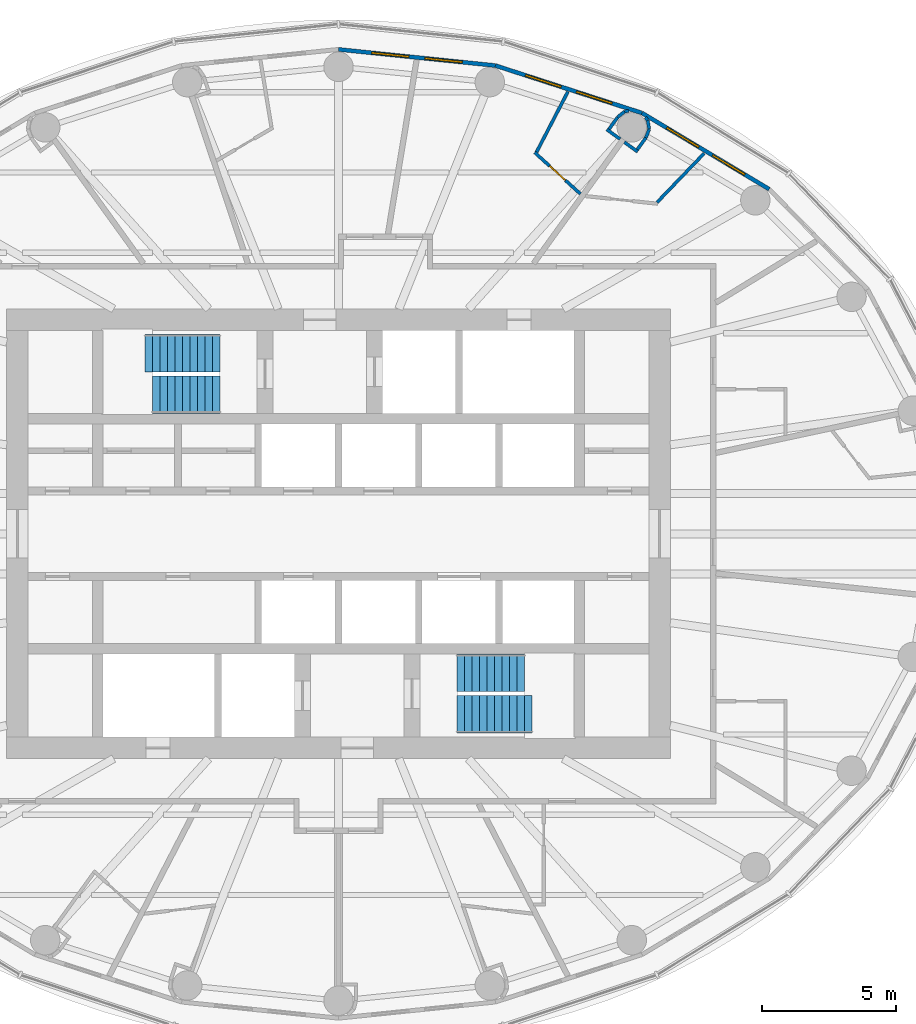
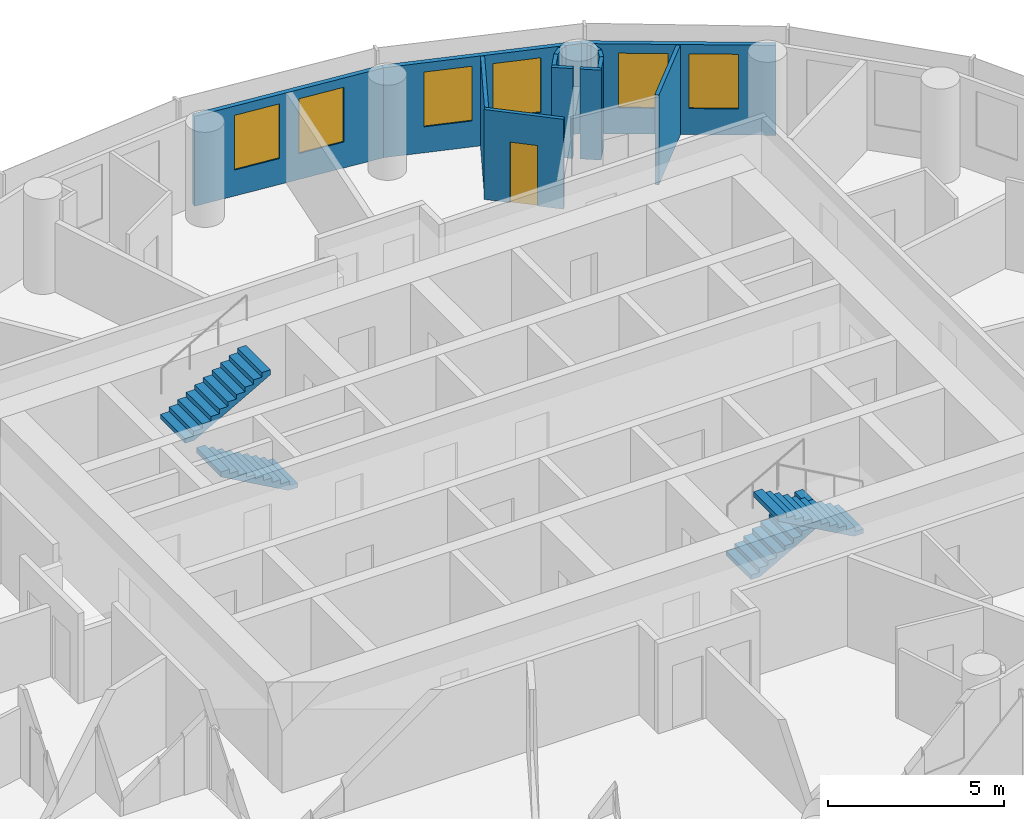
# One storey, part 12 of 13: 15 walls, 6 windows, 4 stair flights, 1 door, 7 openings, 2 elements without a shape of their own.
"""IFC4 building model written with IfcOpenShell, lengths in metres."""

from ifc_helpers import new_model, si_unit, direction, frame, frame_2d, origin, place, context, subcontext, project, spatial, polyline, rectangle, outline, extrude, material, layer, layer_set, type_object, element, fill, aggregate, save


model = new_model("IFC4")

# Units and contexts
model_context = context("Model", 3, precision=1e-05, world=origin(), true_north=direction((0.0, 1.0)))
body_context = subcontext(model_context, "Body", "Model", "MODEL_VIEW")
ifc_project = project(units=[si_unit("LENGTHUNIT", "METRE"), si_unit("AREAUNIT", "SQUARE_METRE"), si_unit("VOLUMEUNIT", "CUBIC_METRE"), si_unit("PLANEANGLEUNIT", "RADIAN"), si_unit("MASSUNIT", "GRAM", prefix="KILO")], contexts=[model_context])

# Site, building, storey
site_placement = place(None, origin())
site = spatial("IfcSite", under=ifc_project, at=site_placement, CompositionType="ELEMENT")
building_placement = place(site_placement, origin())
building = spatial("IfcBuilding", under=site, at=building_placement, Name="Hankou Lantern Tower", CompositionType="ELEMENT")
storey_placement = place(building_placement, frame((0.0, 0.0, 163.199951171875)))
storey = spatial("IfcBuildingStorey", under=building, at=storey_placement, Name="L43", CompositionType="ELEMENT", Elevation=163.199951171875)

# Wall, openings, windows
ifc_material_1 = material(Name="Aluminium spandrel panel on steel studs", Category="steel")
ifc_layer_1 = layer(ifc_material_1, 0.14990234375)
ifc_layer_set_1 = layer_set([ifc_layer_1], Name="Aluminium spandrel panel on steel studs")
wall_type_1 = type_object("IfcWallType", Name="EW1 INNER SKIN WALL 150", PredefinedType="ELEMENTEDWALL", material=ifc_layer_set_1)
wall_1_placement = place(storey_placement, frame((16.0947265625, 12.875732421875, 0.0), z_axis=(0.0, 0.0, 1.0), x_axis=(-0.857695199231, 0.514158482587, 0.0)))
wall_1 = element("IfcWall", 1, at=wall_1_placement, inside=storey, type_object=wall_type_1, Name="Inner skin R04-R05 L43", PredefinedType="ELEMENTEDWALL", context=body_context, shape_type="SweptSolid", body=[
    extrude(rectangle(XDim=5.5361328125, YDim=0.14990234375, at=frame_2d((2.76806640625, 0.0))), origin(), (0.0, 0.0, 1.0), 3.1201171875),
])
opening_1_placement = place(wall_1_placement, frame((1.068115234375, 0.0, 0.89990234375)))
opening_1 = element("IfcOpeningElement", 2, at=opening_1_placement, cuts=wall_1, Name="Opening W3", PredefinedType="OPENING", context=body_context, shape_type="SweptSolid", body=[
    extrude(rectangle(XDim=1.39990234375, YDim=1.89990234375, at=frame_2d((0.699951171875, 0.949951171875))), frame((0.0, 0.0849609375, 0.0), z_axis=(0.0, -1.0, 0.0), x_axis=(1.0, 0.0, 0.0)), (0.0, 0.0, 1.0), 0.169921875),
])
opening_2_placement = place(wall_1_placement, frame((3.068115234375, 0.0, 0.89990234375)))
opening_2 = element("IfcOpeningElement", 3, at=opening_2_placement, cuts=wall_1, Name="Opening W3", PredefinedType="OPENING", context=body_context, shape_type="SweptSolid", body=[
    extrude(rectangle(XDim=1.39990234375, YDim=1.89990234375, at=frame_2d((0.699951171875, 0.949951171875))), frame((0.0, 0.0849609375, 0.0), z_axis=(0.0, -1.0, 0.0), x_axis=(1.0, 0.0, 0.0)), (0.0, 0.0, 1.0), 0.169921875),
])
ifc_material_2 = material(Name="Aluminium framed double glazed window", Category="aluminium")
window_type = type_object("IfcWindowType", Name="W3 GUEST ROOM WINDOW 1400X1900", PartitioningType="DOUBLE_PANEL_VERTICAL", PredefinedType="WINDOW", material=ifc_material_2)
window_1_placement = place(opening_1_placement, origin())
window_1 = element("IfcWindow", 4, at=window_1_placement, inside=storey, type_object=window_type, Name="Window R04.1 L43", OverallHeight=1.89990234375, OverallWidth=1.39990234375, PartitioningType="SINGLE_PANEL", PredefinedType="WINDOW", context=body_context, shape_type="SweptSolid", body=[
    extrude(rectangle(XDim=1.39990234375, YDim=1.89990234375, at=frame_2d((0.699951171875, 0.949951171875))), frame((0.0, 0.030029296875, 0.0), z_axis=(0.0, -1.0, 0.0), x_axis=(1.0, 0.0, 0.0)), (0.0, 0.0, 1.0), 0.06005859375),
])
fill(opening_1, window_1)
window_2_placement = place(opening_2_placement, origin())
window_2 = element("IfcWindow", 5, at=window_2_placement, inside=storey, type_object=window_type, Name="Window R04.2 L43", OverallHeight=1.89990234375, OverallWidth=1.39990234375, PartitioningType="SINGLE_PANEL", PredefinedType="WINDOW", context=body_context, shape_type="SweptSolid", body=[
    extrude(rectangle(XDim=1.39990234375, YDim=1.89990234375, at=frame_2d((0.699951171875, 0.949951171875))), frame((0.0, 0.030029296875, 0.0), z_axis=(0.0, -1.0, 0.0), x_axis=(1.0, 0.0, 0.0)), (0.0, 0.0, 1.0), 0.06005859375),
])
fill(opening_2, window_2)

wall_2_placement = place(storey_placement, frame((11.346435546875, 15.72216796875, 0.0), z_axis=(0.0, 0.0, 1.0), x_axis=(-0.951432482129, 0.307857486429, 0.0)))
wall_2 = element("IfcWall", 6, at=wall_2_placement, inside=storey, type_object=wall_type_1, Name="Inner skin R05-R06 L43", PredefinedType="ELEMENTEDWALL", context=body_context, shape_type="SweptSolid", body=[
    extrude(rectangle(XDim=5.76611328125, YDim=0.14990234375, at=frame_2d((2.883056640625, 0.0))), origin(), (0.0, 0.0, 1.0), 3.1201171875),
])
opening_3_placement = place(wall_2_placement, frame((1.18310546875, 0.0, 0.89990234375)))
opening_3 = element("IfcOpeningElement", 7, at=opening_3_placement, cuts=wall_2, Name="Opening W3", PredefinedType="OPENING", context=body_context, shape_type="SweptSolid", body=[
    extrude(rectangle(XDim=1.39990234375, YDim=1.89990234375, at=frame_2d((0.699951171875, 0.949951171875))), frame((0.0, 0.0849609375, 0.0), z_axis=(0.0, -1.0, 0.0), x_axis=(1.0, 0.0, 0.0)), (0.0, 0.0, 1.0), 0.169921875),
])
opening_4_placement = place(wall_2_placement, frame((3.18310546875, 0.0, 0.89990234375)))
opening_4 = element("IfcOpeningElement", 8, at=opening_4_placement, cuts=wall_2, Name="Opening W3", PredefinedType="OPENING", context=body_context, shape_type="SweptSolid", body=[
    extrude(rectangle(XDim=1.39990234375, YDim=1.89990234375, at=frame_2d((0.699951171875, 0.949951171875))), frame((0.0, 0.0849609375, 0.0), z_axis=(0.0, -1.0, 0.0), x_axis=(1.0, 0.0, 0.0)), (0.0, 0.0, 1.0), 0.169921875),
])
window_3_placement = place(opening_3_placement, origin())
window_3 = element("IfcWindow", 9, at=window_3_placement, inside=storey, type_object=window_type, Name="Window R05.1 L43", OverallHeight=1.89990234375, OverallWidth=1.39990234375, PartitioningType="SINGLE_PANEL", PredefinedType="WINDOW", context=body_context, shape_type="SweptSolid", body=[
    extrude(rectangle(XDim=1.39990234375, YDim=1.89990234375, at=frame_2d((0.699951171875, 0.949951171875))), frame((0.0, 0.030029296875, 0.0), z_axis=(0.0, -1.0, 0.0), x_axis=(1.0, 0.0, 0.0)), (0.0, 0.0, 1.0), 0.06005859375),
])
fill(opening_3, window_3)
window_4_placement = place(opening_4_placement, origin())
window_4 = element("IfcWindow", 10, at=window_4_placement, inside=storey, type_object=window_type, Name="Window R05.2 L43", OverallHeight=1.89990234375, OverallWidth=1.39990234375, PartitioningType="SINGLE_PANEL", PredefinedType="WINDOW", context=body_context, shape_type="SweptSolid", body=[
    extrude(rectangle(XDim=1.39990234375, YDim=1.89990234375, at=frame_2d((0.699951171875, 0.949951171875))), frame((0.0, 0.030029296875, 0.0), z_axis=(0.0, -1.0, 0.0), x_axis=(1.0, 0.0, 0.0)), (0.0, 0.0, 1.0), 0.06005859375),
])
fill(opening_4, window_4)

wall_3_placement = place(storey_placement, frame((5.8603515625, 17.497314453125, 0.0), z_axis=(0.0, 0.0, 1.0), x_axis=(-0.994751738032, 0.102318032045, 0.0)))
wall_3 = element("IfcWall", 11, at=wall_3_placement, inside=storey, type_object=wall_type_1, Name="Inner skin R06-R07 L43", PredefinedType="ELEMENTEDWALL", context=body_context, shape_type="SweptSolid", body=[
    extrude(rectangle(XDim=5.891357421875, YDim=0.14990234375, at=frame_2d((2.94580078125, 0.0))), origin(), (0.0, 0.0, 1.0), 3.1201171875),
])
opening_5_placement = place(wall_3_placement, frame((1.24560546875, 0.0, 0.89990234375)))
opening_5 = element("IfcOpeningElement", 12, at=opening_5_placement, cuts=wall_3, Name="Opening W3", PredefinedType="OPENING", context=body_context, shape_type="SweptSolid", body=[
    extrude(rectangle(XDim=1.39990234375, YDim=1.89990234375, at=frame_2d((0.699951171875, 0.949951171875))), frame((0.0, 0.0849609375, 0.0), z_axis=(0.0, -1.0, 0.0), x_axis=(1.0, 0.0, 0.0)), (0.0, 0.0, 1.0), 0.169921875),
])
opening_6_placement = place(wall_3_placement, frame((3.24560546875, 0.0, 0.89990234375)))
opening_6 = element("IfcOpeningElement", 13, at=opening_6_placement, cuts=wall_3, Name="Opening W3", PredefinedType="OPENING", context=body_context, shape_type="SweptSolid", body=[
    extrude(rectangle(XDim=1.39990234375, YDim=1.89990234375, at=frame_2d((0.699951171875, 0.949951171875))), frame((0.0, 0.0849609375, 0.0), z_axis=(0.0, -1.0, 0.0), x_axis=(1.0, 0.0, 0.0)), (0.0, 0.0, 1.0), 0.169921875),
])
window_5_placement = place(opening_5_placement, origin())
window_5 = element("IfcWindow", 14, at=window_5_placement, inside=storey, type_object=window_type, Name="Window R06.1 L43", OverallHeight=1.89990234375, OverallWidth=1.39990234375, PartitioningType="SINGLE_PANEL", PredefinedType="WINDOW", context=body_context, shape_type="SweptSolid", body=[
    extrude(rectangle(XDim=1.39990234375, YDim=1.89990234375, at=frame_2d((0.699951171875, 0.949951171875))), frame((0.0, 0.030029296875, 0.0), z_axis=(0.0, -1.0, 0.0), x_axis=(1.0, 0.0, 0.0)), (0.0, 0.0, 1.0), 0.06005859375),
])
fill(opening_5, window_5)
window_6_placement = place(opening_6_placement, origin())
window_6 = element("IfcWindow", 15, at=window_6_placement, inside=storey, type_object=window_type, Name="Window R06.2 L43", OverallHeight=1.89990234375, OverallWidth=1.39990234375, PartitioningType="SINGLE_PANEL", PredefinedType="WINDOW", context=body_context, shape_type="SweptSolid", body=[
    extrude(rectangle(XDim=1.39990234375, YDim=1.89990234375, at=frame_2d((0.699951171875, 0.949951171875))), frame((0.0, 0.030029296875, 0.0), z_axis=(0.0, -1.0, 0.0), x_axis=(1.0, 0.0, 0.0)), (0.0, 0.0, 1.0), 0.06005859375),
])
fill(opening_6, window_6)

# Walls
ifc_material_3 = material(Name="Masonry lightweight concrete block", Category="masonry")
ifc_layer_2 = layer(ifc_material_3, 0.1201171875)
ifc_layer_set_2 = layer_set([ifc_layer_2], Name="Masonry lightweight concrete block")
wall_type_2 = type_object("IfcWallType", Name="IW3 BATHROOM WALL 120", PredefinedType="PARTITIONING", material=ifc_layer_set_2)
wall_4_placement = place(storey_placement, frame((11.90234375, 12.383056640625, 0.0), z_axis=(0.0, 0.0, 1.0), x_axis=(0.69298385335, 0.720953104574, 0.0)))
element("IfcWall", 16, at=wall_4_placement, inside=storey, type_object=wall_type_2, Name="Box wall 4313 2", PredefinedType="PARTITIONING", context=body_context, shape_type="SweptSolid", body=[
    extrude(rectangle(XDim=2.5400390625, YDim=0.1201171875, at=frame_2d((1.27001953125, 0.0))), origin(), (0.0, 0.0, 1.0), 3.1201171875),
])
wall_5_placement = place(storey_placement, frame((10.683837890625, 14.633056640625, 0.0), z_axis=(0.0, 0.0, 1.0), x_axis=(0.810921075692, -0.585155542568, 0.0)))
element("IfcWall", 17, at=wall_5_placement, inside=storey, type_object=wall_type_2, Name="Column casing 4313 return", PredefinedType="PARTITIONING", context=body_context, shape_type="SweptSolid", body=[
    extrude(rectangle(XDim=0.612060546875, YDim=0.1201171875, at=frame_2d((0.30615234375, 0.0))), origin(), (0.0, 0.0, 1.0), 3.1201171875),
])
wall_6_placement = place(storey_placement, frame((11.166748046875, 14.358642578125, 0.0), z_axis=(0.0, 0.0, 1.0), x_axis=(0.585263549799, 0.810843127415, 0.0)))
element("IfcWall", 18, at=wall_6_placement, inside=storey, type_object=wall_type_2, Name="Column casing 4313", PredefinedType="PARTITIONING", context=body_context, shape_type="SweptSolid", body=[
    extrude(rectangle(XDim=0.5498046875, YDim=0.1201171875, at=frame_2d((0.27490234375, 0.0))), origin(), (0.0, 0.0, 1.0), 3.1201171875),
])
for number, where, z_axis, x_axis, name in (
    (19, (11.488525390625, 14.804443359375, 0.0), (0.0, 0.0, 1.0), (0.355634599475, 0.934625075448, 0.0), "Column casing 4313"),
    (20, (11.608642578125, 15.1201171875, 0.0), (0.0, 0.0, 1.0), (-0.159823572519, 0.987145594969, 0.0), "Column casing 4313"),
):
    element("IfcWall", number, at=place(storey_placement, frame(where, z_axis=z_axis, x_axis=x_axis)), inside=storey, type_object=wall_type_2, Name=name, PredefinedType="PARTITIONING", context=body_context, shape_type="SweptSolid", body=[
        extrude(rectangle(XDim=0.337646484375, YDim=0.1201171875, at=frame_2d((0.1689453125, 0.0))), origin(), (0.0, 0.0, 1.0), 3.1201171875),
    ])
wall_7_placement = place(storey_placement, frame((11.5546875, 15.453369140625, 0.0), z_axis=(0.0, 0.0, 1.0), x_axis=(-0.631711901025, 0.775203246964, 0.0)))
element("IfcWall", 21, at=wall_7_placement, inside=storey, type_object=wall_type_2, Name="Column casing 4313", PredefinedType="PARTITIONING", context=body_context, shape_type="SweptSolid", body=[
    extrude(rectangle(XDim=0.139404296875, YDim=0.1201171875, at=frame_2d((0.06982421875, 0.0))), origin(), (0.0, 0.0, 1.0), 3.1201171875),
])

# Wall, opening, door
wall_8_placement = place(storey_placement, frame((9.041748046875, 12.699462890625, 0.0), z_axis=(0.0, 0.0, 1.0), x_axis=(-0.741100257539, 0.671394376112, 0.0)))
wall_8 = element("IfcWall", 22, at=wall_8_placement, inside=storey, type_object=wall_type_2, Name="Box wall 4314 1", PredefinedType="PARTITIONING", context=body_context, shape_type="SweptSolid", body=[
    extrude(rectangle(XDim=2.3115234375, YDim=0.1201171875, at=frame_2d((1.15576171875, 0.0))), origin(), (0.0, 0.0, 1.0), 3.1201171875),
])
opening_7_placement = place(wall_8_placement, frame((0.755859375, 0.0, 0.0)))
opening_7 = element("IfcOpeningElement", 23, at=opening_7_placement, cuts=wall_8, Name="Opening D3", PredefinedType="OPENING", context=body_context, shape_type="SweptSolid", body=[
    extrude(rectangle(XDim=0.800048828125, YDim=2.10009765625, at=frame_2d((0.39990234375, 1.050048828125))), frame((0.0, 0.070068359375, 0.0), z_axis=(0.0, -1.0, 0.0), x_axis=(1.0, 0.0, 0.0)), (0.0, 0.0, 1.0), 0.14013671875),
])
ifc_material_4 = material(Name="Timber door leaf", Category="wood")
door_type = type_object("IfcDoorType", Name="D3 BATHROOM DOOR 800X2100", OperationType="SINGLE_SWING_LEFT", PredefinedType="DOOR", material=ifc_material_4)
door_placement = place(opening_7_placement, origin())
door = element("IfcDoor", 24, at=door_placement, inside=storey, type_object=door_type, Name="En-suite bathroom 4314 door", OperationType="SINGLE_SWING_LEFT", OverallHeight=2.10009765625, OverallWidth=0.800048828125, PredefinedType="DOOR", context=body_context, shape_type="SweptSolid", body=[
    extrude(rectangle(XDim=0.800048828125, YDim=2.10009765625, at=frame_2d((0.39990234375, 1.050048828125))), frame((0.0, 0.02490234375, 0.0), z_axis=(0.0, -1.0, 0.0), x_axis=(1.0, 0.0, 0.0)), (0.0, 0.0, 1.0), 0.050048828125),
])
fill(opening_7, door)

# Walls
wall_9_placement = place(storey_placement, frame((7.400634765625, 14.264404296875, 0.0), z_axis=(0.0, 0.0, 1.0), x_axis=(0.460505131319, 0.887657041897, 0.0)))
element("IfcWall", 25, at=wall_9_placement, inside=storey, type_object=wall_type_2, Name="Box wall 4314 2", PredefinedType="PARTITIONING", context=body_context, shape_type="SweptSolid", body=[
    extrude(rectangle(XDim=2.5400390625, YDim=0.1201171875, at=frame_2d((1.27001953125, 0.0))), origin(), (0.0, 0.0, 1.0), 3.1201171875),
])
wall_10_placement = place(storey_placement, frame((10.521728515625, 14.750244140625, 0.0), z_axis=(0.0, 0.0, 1.0), x_axis=(-0.811057588427, 0.584966313777, 0.0)))
element("IfcWall", 26, at=wall_10_placement, inside=storey, type_object=wall_type_2, Name="Column casing 4314 return", PredefinedType="PARTITIONING", context=body_context, shape_type="SweptSolid", body=[
    extrude(rectangle(XDim=0.6123046875, YDim=0.1201171875, at=frame_2d((0.30615234375, 0.0))), origin(), (0.0, 0.0, 1.0), 3.1201171875),
])
wall_11_placement = place(storey_placement, frame((10.10888671875, 15.121826171875, 0.0), z_axis=(0.0, 0.0, 1.0), x_axis=(0.585344718358, 0.810784534072, 0.0)))
element("IfcWall", 27, at=wall_11_placement, inside=storey, type_object=wall_type_2, Name="Column casing 4314", PredefinedType="PARTITIONING", context=body_context, shape_type="SweptSolid", body=[
    extrude(rectangle(XDim=0.550048828125, YDim=0.1201171875, at=frame_2d((0.27490234375, 0.0))), origin(), (0.0, 0.0, 1.0), 3.1201171875),
])
wall_12_placement = place(storey_placement, frame((10.430908203125, 15.56787109375, 0.0), z_axis=(0.0, 0.0, 1.0), x_axis=(0.77505137267, 0.631898227345, 0.0)))
element("IfcWall", 28, at=wall_12_placement, inside=storey, type_object=wall_type_2, Name="Column casing 4314", PredefinedType="PARTITIONING", context=body_context, shape_type="SweptSolid", body=[
    extrude(rectangle(XDim=0.337646484375, YDim=0.1201171875, at=frame_2d((0.1689453125, 0.0))), origin(), (0.0, 0.0, 1.0), 3.1201171875),
])
wall_13_placement = place(storey_placement, frame((10.692626953125, 15.78125, 0.0), z_axis=(0.0, 0.0, 1.0), x_axis=(0.987256785332, 0.159135287777, 0.0)))
element("IfcWall", 29, at=wall_13_placement, inside=storey, type_object=wall_type_2, Name="Column casing 4314", PredefinedType="PARTITIONING", context=body_context, shape_type="SweptSolid", body=[
    extrude(rectangle(XDim=0.157958984375, YDim=0.1201171875, at=frame_2d((0.0791015625, 0.0))), origin(), (0.0, 0.0, 1.0), 3.1201171875),
])

# Stair, stair flight
ifc_material_5 = material(Name="Concrete C40", Category="concrete")
stair_type = type_object("IfcStairType", Name="ST33 CORE STAIR 3300 RISE", PredefinedType="HALF_TURN_STAIR", material=ifc_material_5)
stair_1_placement = place(storey_placement, origin())
stair_1 = element("IfcStair", 30, at=stair_1_placement, inside=storey, type_object=stair_type, Name="Stair STA L43", PredefinedType="HALF_TURN_STAIR")
ifc_material_6 = material(Name="Concrete C40", Category="concrete")
stair_flight_type_1 = type_object("IfcStairFlightType", Name="CF10 CORE STAIR FLIGHT 1400 X 10 RISERS", PredefinedType="STRAIGHT", material=ifc_material_6)
stair_flight_1_placement = place(storey_placement, frame((-4.429931640625, 5.199951171875, 0.0), z_axis=(0.0, 0.0, 1.0), x_axis=(-1.0, 0.0, 0.0)))
stair_flight_1 = element("IfcStairFlight", 31, at=stair_flight_1_placement, type_object=stair_flight_type_1, Name="STA flight 1", NumberOfRisers=10, NumberOfTreads=9, PredefinedType="STRAIGHT", RiserHeight=0.157142857, TreadLength=0.28, context=body_context, shape_type="SweptSolid", body=[
    extrude(outline(polyline([(0.0, 0.0), (0.0, 0.1572265625), (0.280029296875, 0.1572265625), (0.280029296875, 0.314208984375), (0.56005859375, 0.314208984375), (0.56005859375, 0.471435546875), (0.840087890625, 0.471435546875), (0.840087890625, 0.628662109375), (1.1201171875, 0.628662109375), (1.1201171875, 0.78564453125), (1.39990234375, 0.78564453125), (1.39990234375, 0.94287109375), (1.679931640625, 0.94287109375), (1.679931640625, 1.10009765625), (1.9599609375, 1.10009765625), (1.9599609375, 1.257080078125), (2.239990234375, 1.257080078125), (2.239990234375, 1.414306640625), (2.52001953125, 1.414306640625), (2.52001953125, 1.571533203125), (2.52001953125, 1.242431640625), (0.306396484375, 0.0), (0.0, 0.0)])), frame((0.0, 0.699951171875, 0.0), z_axis=(0.0, -1.0, 0.0), x_axis=(1.0, 0.0, 0.0)), (0.0, 0.0, 1.0), 1.39990234375),
])

stair_2_placement = place(storey_placement, origin())
stair_2 = element("IfcStair", 32, at=stair_2_placement, inside=storey, type_object=stair_type, Name="Stair STB L43", PredefinedType="HALF_TURN_STAIR")
stair_flight_2_placement = place(storey_placement, frame((4.429931640625, -5.199951171875, 0.0), z_axis=(0.0, 0.0, 1.0), x_axis=(1.0, 0.0, 0.0)))
stair_flight_2 = element("IfcStairFlight", 33, at=stair_flight_2_placement, type_object=stair_flight_type_1, Name="STB flight 1", NumberOfRisers=10, NumberOfTreads=9, PredefinedType="STRAIGHT", RiserHeight=0.157142857, TreadLength=0.28, context=body_context, shape_type="SweptSolid", body=[
    extrude(outline(polyline([(0.0, 0.0), (0.0, 0.1572265625), (0.280029296875, 0.1572265625), (0.280029296875, 0.314208984375), (0.56005859375, 0.314208984375), (0.56005859375, 0.471435546875), (0.840087890625, 0.471435546875), (0.840087890625, 0.628662109375), (1.1201171875, 0.628662109375), (1.1201171875, 0.78564453125), (1.39990234375, 0.78564453125), (1.39990234375, 0.94287109375), (1.679931640625, 0.94287109375), (1.679931640625, 1.10009765625), (1.9599609375, 1.10009765625), (1.9599609375, 1.257080078125), (2.239990234375, 1.257080078125), (2.239990234375, 1.414306640625), (2.52001953125, 1.414306640625), (2.52001953125, 1.571533203125), (2.52001953125, 1.242431640625), (0.306396484375, 0.0), (0.0, 0.0)])), frame((0.0, 0.699951171875, 0.0), z_axis=(0.0, -1.0, 0.0), x_axis=(1.0, 0.0, 0.0)), (0.0, 0.0, 1.0), 1.39990234375),
])

# Stair flight
ifc_material_7 = material(Name="Concrete C40", Category="concrete")
stair_flight_type_2 = type_object("IfcStairFlightType", Name="CF11 CORE STAIR FLIGHT 1400 X 11 RISERS", PredefinedType="STRAIGHT", material=ifc_material_7)
stair_flight_3_placement = place(storey_placement, frame((-7.22998046875, 6.75, 1.571533203125), z_axis=(0.0, 0.0, 1.0), x_axis=(1.0, 0.0, 0.0)))
stair_flight_3 = element("IfcStairFlight", 34, at=stair_flight_3_placement, type_object=stair_flight_type_2, Name="STA flight 2", NumberOfRisers=11, NumberOfTreads=10, PredefinedType="STRAIGHT", RiserHeight=0.157142857, TreadLength=0.28, context=body_context, shape_type="SweptSolid", body=[
    extrude(outline(polyline([(0.0, 0.0), (0.0, 0.1572265625), (0.280029296875, 0.1572265625), (0.280029296875, 0.314208984375), (0.56005859375, 0.314208984375), (0.56005859375, 0.471435546875), (0.840087890625, 0.471435546875), (0.840087890625, 0.628662109375), (1.1201171875, 0.628662109375), (1.1201171875, 0.78564453125), (1.39990234375, 0.78564453125), (1.39990234375, 0.94287109375), (1.679931640625, 0.94287109375), (1.679931640625, 1.10009765625), (1.9599609375, 1.10009765625), (1.9599609375, 1.257080078125), (2.239990234375, 1.257080078125), (2.239990234375, 1.414306640625), (2.52001953125, 1.414306640625), (2.52001953125, 1.571533203125), (2.800048828125, 1.571533203125), (2.800048828125, 1.728515625), (2.800048828125, 1.3994140625), (0.306396484375, 0.0), (0.0, 0.0)])), frame((0.0, 0.699951171875, 0.0), z_axis=(0.0, -1.0, 0.0), x_axis=(1.0, 0.0, 0.0)), (0.0, 0.0, 1.0), 1.39990234375),
])

aggregate(stair_1, [stair_flight_1, stair_flight_3])

stair_flight_4_placement = place(storey_placement, frame((7.22998046875, -6.75, 1.571533203125), z_axis=(0.0, 0.0, 1.0), x_axis=(-1.0, 0.0, 0.0)))
stair_flight_4 = element("IfcStairFlight", 35, at=stair_flight_4_placement, type_object=stair_flight_type_2, Name="STB flight 2", NumberOfRisers=11, NumberOfTreads=10, PredefinedType="STRAIGHT", RiserHeight=0.157142857, TreadLength=0.28, context=body_context, shape_type="SweptSolid", body=[
    extrude(outline(polyline([(0.0, 0.0), (0.0, 0.1572265625), (0.280029296875, 0.1572265625), (0.280029296875, 0.314208984375), (0.56005859375, 0.314208984375), (0.56005859375, 0.471435546875), (0.840087890625, 0.471435546875), (0.840087890625, 0.628662109375), (1.1201171875, 0.628662109375), (1.1201171875, 0.78564453125), (1.39990234375, 0.78564453125), (1.39990234375, 0.94287109375), (1.679931640625, 0.94287109375), (1.679931640625, 1.10009765625), (1.9599609375, 1.10009765625), (1.9599609375, 1.257080078125), (2.239990234375, 1.257080078125), (2.239990234375, 1.414306640625), (2.52001953125, 1.414306640625), (2.52001953125, 1.571533203125), (2.800048828125, 1.571533203125), (2.800048828125, 1.728515625), (2.800048828125, 1.3994140625), (0.306396484375, 0.0), (0.0, 0.0)])), frame((0.0, 0.699951171875, 0.0), z_axis=(0.0, -1.0, 0.0), x_axis=(1.0, 0.0, 0.0)), (0.0, 0.0, 1.0), 1.39990234375),
])

aggregate(stair_2, [stair_flight_2, stair_flight_4])

save(model, "model.ifc")
